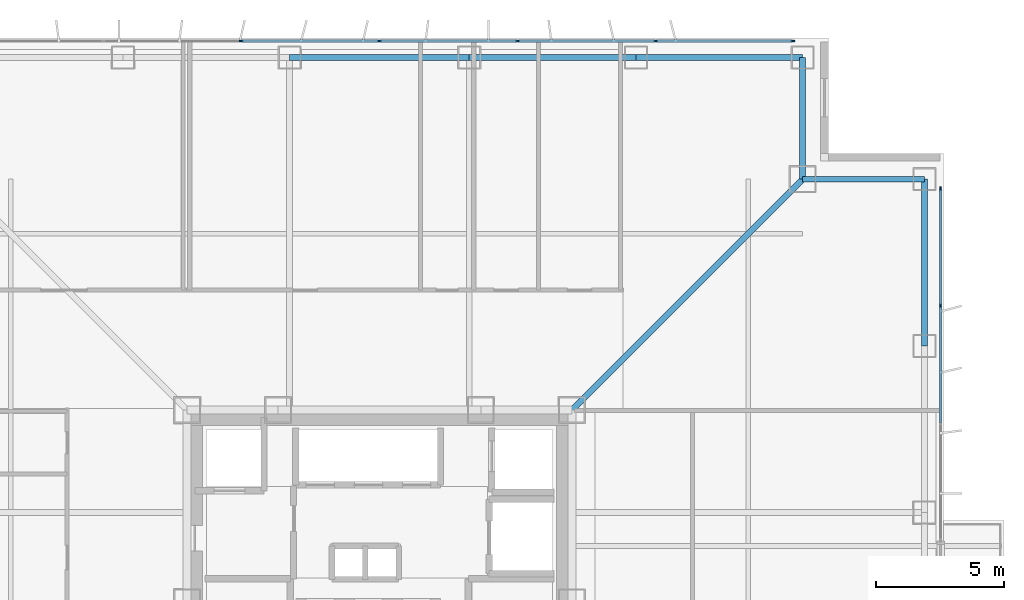
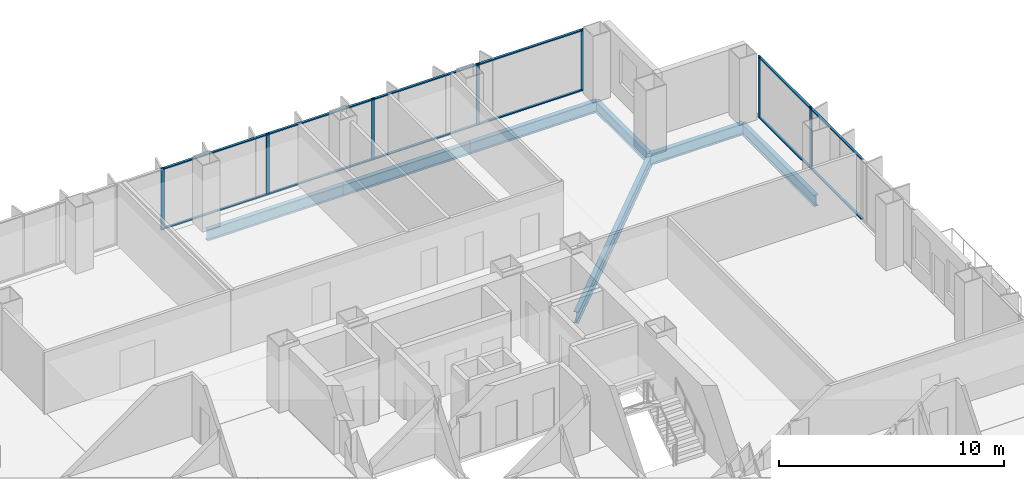
# One storey, part 11 of 18: 19 members, 7 beams, 2 elements without a shape of their own.
"""IFC4 building model written with IfcOpenShell, lengths in metres."""

from ifc_helpers import new_model, si_unit, direction, frame, origin, origin_2d, place, context, subcontext, project, spatial, rectangle, i_section, extrude, material, layer, layer_set, material_profile, profile_set, type_object, element, aggregate, save


model = new_model("IFC4")

# Units and contexts
model_context = context("Model", 3, precision=1e-05, world=origin(), true_north=direction((0.0, 1.0)))
body_context = subcontext(model_context, "Body", "Model", "MODEL_VIEW")
ifc_project = project(units=[si_unit("LENGTHUNIT", "METRE"), si_unit("AREAUNIT", "SQUARE_METRE"), si_unit("VOLUMEUNIT", "CUBIC_METRE"), si_unit("PLANEANGLEUNIT", "RADIAN"), si_unit("MASSUNIT", "GRAM", prefix="KILO")], contexts=[model_context])

# Site, building, storey
site_placement = place(None, origin())
site = spatial("IfcSite", under=ifc_project, at=site_placement, CompositionType="ELEMENT")
building_placement = place(site_placement, origin())
building = spatial("IfcBuilding", under=site, at=building_placement, Name="Trevonay Congress Spire", CompositionType="ELEMENT")
storey_placement = place(building_placement, frame((0.0, 0.0, 104.800048828125)))
storey = spatial("IfcBuildingStorey", under=building, at=storey_placement, Name="L26", CompositionType="ELEMENT", Elevation=104.800048828125)

# Beams
ifc_material_1 = material(Name="Steel ASTM A572 Grade 50", Category="steel")
ifc_material_profile_1 = material_profile(ifc_material_1, i_section(OverallWidth=0.22998046875, OverallDepth=0.616943359375, WebThickness=0.01318359375, FlangeThickness=0.022216796875, FilletRadius=0.01611328125, at=origin_2d()), Name="W610x140")
ifc_profile_set_1 = profile_set([ifc_material_profile_1], Name="Steel ASTM A572 Grade 50")
beam_type_1 = type_object("IfcBeamType", Name="BM-GIRD-W610X140", PredefinedType="BEAM", material=ifc_profile_set_1)
beam_1_placement = place(storey_placement, frame((7.5, 7.5, -0.548583984375), z_axis=(0.707106781187, 0.707106781187, 0.0), x_axis=(-0.707106781187, 0.707106781187, 0.0)))
element("IfcBeam", 1, at=beam_1_placement, inside=storey, type_object=beam_type_1, Name="L26 structural beam BM-L26-CDNE", PredefinedType="BEAM", context=body_context, shape_type="SweptSolid", body=[
    extrude(i_section(OverallWidth=0.22998046875, OverallDepth=0.616943359375, WebThickness=0.01318359375, FlangeThickness=0.022216796875, FilletRadius=0.01611328125, at=origin_2d()), origin(), (0.0, 0.0, 1.0), 12.72802734375),
])
ifc_material_profile_2 = material_profile(ifc_material_1, i_section(OverallWidth=0.22802734375, OverallDepth=0.60791015625, WebThickness=0.01123046875, FlangeThickness=0.017333984375, FilletRadius=0.01611328125, at=origin_2d()), Name="W610x113")
ifc_profile_set_2 = profile_set([ifc_material_profile_2], Name="Steel ASTM A572 Grade 50")
beam_type_2 = type_object("IfcBeamType", Name="BM-RING-W610X113", PredefinedType="BEAM", material=ifc_profile_set_2)
beam_2_placement = place(storey_placement, frame((-3.5, 21.25, -0.5439453125), z_axis=(1.0, 0.0, 0.0), x_axis=(0.0, 1.0, 0.0)))
element("IfcBeam", 2, at=beam_2_placement, inside=storey, type_object=beam_type_2, Name="L26 structural beam BM-L26-PN3", PredefinedType="BEAM", context=body_context, shape_type="SweptSolid", body=[
    extrude(i_section(OverallWidth=0.22802734375, OverallDepth=0.60791015625, WebThickness=0.01123046875, FlangeThickness=0.017333984375, FilletRadius=0.01611328125, at=origin_2d()), origin(), (0.0, 0.0, 1.0), 7.0),
])
for number, where, z_axis, x_axis, name in (
    (3, (3.5, 21.25, -0.5439453125), (1.0, 0.0, 0.0), (0.0, 1.0, 0.0), "L26 structural beam BM-L26-PN4"),
    (4, (10.0, 21.25, -0.5439453125), (1.0, 0.0, 0.0), (0.0, 1.0, 0.0), "L26 structural beam BM-L26-PN5"),
    (5, (21.25, 10.0, -0.5439453125), (0.0, 1.0, 0.0), (-1.0, 0.0, 0.0), "L26 structural beam BM-L26-PE5"),
):
    element("IfcBeam", number, at=place(storey_placement, frame(where, z_axis=z_axis, x_axis=x_axis)), inside=storey, type_object=beam_type_2, Name=name, PredefinedType="BEAM", context=body_context, shape_type="SweptSolid", body=[
        extrude(i_section(OverallWidth=0.22802734375, OverallDepth=0.60791015625, WebThickness=0.01123046875, FlangeThickness=0.017333984375, FilletRadius=0.01611328125, at=origin_2d()), origin(), (0.0, 0.0, 1.0), 6.5),
    ])
for number, where, z_axis, x_axis, name in (
    (6, (16.5, 21.25, -0.5439453125), (0.0, -1.0, 0.0), (1.0, 0.0, 0.0), "L26 structural beam BM-L26-N1NE"),
    (7, (21.25, 16.5, -0.5439453125), (-1.0, 0.0, 0.0), (0.0, -1.0, 0.0), "L26 structural beam BM-L26-N2NE"),
):
    element("IfcBeam", number, at=place(storey_placement, frame(where, z_axis=z_axis, x_axis=x_axis)), inside=storey, type_object=beam_type_2, Name=name, PredefinedType="BEAM", context=body_context, shape_type="SweptSolid", body=[
        extrude(i_section(OverallWidth=0.22802734375, OverallDepth=0.60791015625, WebThickness=0.01123046875, FlangeThickness=0.017333984375, FilletRadius=0.01611328125, at=origin_2d()), origin(), (0.0, 0.0, 1.0), 4.75),
    ])

# Curtain wall, members
ifc_material_2 = material(Name="Pale Anodised Aluminium EN AW-6063-T6", Category="aluminium")
ifc_layer = layer(ifc_material_2, 0.175048828125, Name="Pale Anodised Aluminium EN AW-6063-T6")
ifc_layer_set = layer_set([ifc_layer], Name="Pale Anodised Aluminium EN AW-6063-T6")
curtain_wall_type = type_object("IfcCurtainWallType", Name="CW-SYS03-CONGRESS-PALE-METAL", PredefinedType="NOTDEFINED", material=ifc_layer_set)
curtain_wall_1_placement = place(storey_placement, origin())
curtain_wall_1 = element("IfcCurtainWall", 8, at=curtain_wall_1_placement, inside=storey, type_object=curtain_wall_type, Name="L26 N unitised curtain wall", PredefinedType="NOTDEFINED")
ifc_material_profile_3 = material_profile(ifc_material_2, rectangle(XDim=0.06005859375, YDim=0.159912109375, at=origin_2d()), Name="CW-MULLION-160-ALUMINIUM")
ifc_profile_set_3 = profile_set([ifc_material_profile_3], Name="Pale Anodised Aluminium EN AW-6063-T6")
member_type_1 = type_object("IfcMemberType", Name="CW-MULLION-160-ALUMINIUM", PredefinedType="MULLION", material=ifc_profile_set_3)
member_1_placement = place(storey_placement, frame((-5.38330078125, 21.8798828125, 0.0), z_axis=(0.0, 0.0, 1.0), x_axis=(0.0, 1.0, 0.0)))
member_1 = element("IfcMember", 9, at=member_1_placement, type_object=member_type_1, Name="CW03 mullion 3", PredefinedType="MULLION", context=body_context, shape_type="SweptSolid", body=[
    extrude(rectangle(XDim=0.06005859375, YDim=0.159912109375, at=origin_2d()), origin(), (0.0, 0.0, 1.0), 3.35986328125),
])
member_2_placement = place(storey_placement, frame((0.0, 21.8798828125, 0.0), z_axis=(0.0, 0.0, 1.0), x_axis=(0.0, 1.0, 0.0)))
member_2 = element("IfcMember", 10, at=member_2_placement, type_object=member_type_1, Name="CW03 mullion 4", PredefinedType="MULLION", context=body_context, shape_type="SweptSolid", body=[
    extrude(rectangle(XDim=0.06005859375, YDim=0.159912109375, at=origin_2d()), origin(), (0.0, 0.0, 1.0), 3.35986328125),
])
member_3_placement = place(storey_placement, frame((5.38330078125, 21.8798828125, 0.0), z_axis=(0.0, 0.0, 1.0), x_axis=(0.0, 1.0, 0.0)))
member_3 = element("IfcMember", 11, at=member_3_placement, type_object=member_type_1, Name="CW03 mullion 5", PredefinedType="MULLION", context=body_context, shape_type="SweptSolid", body=[
    extrude(rectangle(XDim=0.06005859375, YDim=0.159912109375, at=origin_2d()), origin(), (0.0, 0.0, 1.0), 3.35986328125),
])
member_4_placement = place(storey_placement, frame((10.7666015625, 21.8798828125, 0.0), z_axis=(0.0, 0.0, 1.0), x_axis=(0.0, 1.0, 0.0)))
member_4 = element("IfcMember", 12, at=member_4_placement, type_object=member_type_1, Name="CW03 mullion 6", PredefinedType="MULLION", context=body_context, shape_type="SweptSolid", body=[
    extrude(rectangle(XDim=0.06005859375, YDim=0.159912109375, at=origin_2d()), origin(), (0.0, 0.0, 1.0), 3.35986328125),
])
member_5_placement = place(storey_placement, frame((16.1201171875, 21.8798828125, 0.0), z_axis=(0.0, 0.0, 1.0), x_axis=(0.0, 1.0, 0.0)))
member_5 = element("IfcMember", 13, at=member_5_placement, type_object=member_type_1, Name="CW03 mullion 7", PredefinedType="MULLION", context=body_context, shape_type="SweptSolid", body=[
    extrude(rectangle(XDim=0.06005859375, YDim=0.159912109375, at=origin_2d()), origin(), (0.0, 0.0, 1.0), 3.35986328125),
])

curtain_wall_2_placement = place(storey_placement, origin())
curtain_wall_2 = element("IfcCurtainWall", 14, at=curtain_wall_2_placement, inside=storey, type_object=curtain_wall_type, Name="L26 EB unitised curtain wall", PredefinedType="NOTDEFINED")
member_6_placement = place(storey_placement, frame((21.8798828125, 11.566650390625, 0.0), z_axis=(0.0, 0.0, 1.0), x_axis=(-1.0, 0.0, 0.0)))
member_6 = element("IfcMember", 15, at=member_6_placement, type_object=member_type_1, Name="CW03 mullion 3", PredefinedType="MULLION", context=body_context, shape_type="SweptSolid", body=[
    extrude(rectangle(XDim=0.06005859375, YDim=0.159912109375, at=origin_2d()), origin(), (0.0, 0.0, 1.0), 3.35986328125),
])
member_7_placement = place(storey_placement, frame((21.8798828125, 16.1201171875, 0.0), z_axis=(0.0, 0.0, 1.0), x_axis=(-1.0, 0.0, 0.0)))
member_7 = element("IfcMember", 16, at=member_7_placement, type_object=member_type_1, Name="CW03 mullion 4", PredefinedType="MULLION", context=body_context, shape_type="SweptSolid", body=[
    extrude(rectangle(XDim=0.06005859375, YDim=0.159912109375, at=origin_2d()), origin(), (0.0, 0.0, 1.0), 3.35986328125),
])

# Member
ifc_material_profile_4 = material_profile(ifc_material_2, rectangle(XDim=0.1201171875, YDim=0.06005859375, at=origin_2d()), Name="CW-TRANSOM-120-ALUMINIUM")
ifc_profile_set_4 = profile_set([ifc_material_profile_4], Name="Pale Anodised Aluminium EN AW-6063-T6")
member_type_2 = type_object("IfcMemberType", Name="CW-TRANSOM-120-ALUMINIUM", PredefinedType="USERDEFINED", material=ifc_profile_set_4)
member_8_placement = place(storey_placement, frame((-5.353271484375, 21.8798828125, 0.06005859375), z_axis=(1.0, 0.0, 0.0), x_axis=(0.0, 1.0, 0.0)))
member_8 = element("IfcMember", 17, at=member_8_placement, type_object=member_type_2, Name="CW03 transom 3.1", ObjectType="TRANSOM", PredefinedType="USERDEFINED", context=body_context, shape_type="SweptSolid", body=[
    extrude(rectangle(XDim=0.1201171875, YDim=0.06005859375, at=origin_2d()), origin(), (0.0, 0.0, 1.0), 5.3232421875),
])

member_9_placement = place(storey_placement, frame((-5.353271484375, 21.8798828125, 3.300048828125), z_axis=(1.0, 0.0, 0.0), x_axis=(0.0, 1.0, 0.0)))
member_9 = element("IfcMember", 18, at=member_9_placement, type_object=member_type_2, Name="CW03 transom 3.2", ObjectType="TRANSOM", PredefinedType="USERDEFINED", context=body_context, shape_type="SweptSolid", body=[
    extrude(rectangle(XDim=0.1201171875, YDim=0.06005859375, at=origin_2d()), origin(), (0.0, 0.0, 1.0), 5.3232421875),
])

member_10_placement = place(storey_placement, frame((0.030029296875, 21.8798828125, 0.06005859375), z_axis=(1.0, 0.0, 0.0), x_axis=(0.0, 1.0, 0.0)))
member_10 = element("IfcMember", 19, at=member_10_placement, type_object=member_type_2, Name="CW03 transom 4.1", ObjectType="TRANSOM", PredefinedType="USERDEFINED", context=body_context, shape_type="SweptSolid", body=[
    extrude(rectangle(XDim=0.1201171875, YDim=0.06005859375, at=origin_2d()), origin(), (0.0, 0.0, 1.0), 5.3232421875),
])

member_11_placement = place(storey_placement, frame((0.030029296875, 21.8798828125, 3.300048828125), z_axis=(1.0, 0.0, 0.0), x_axis=(0.0, 1.0, 0.0)))
member_11 = element("IfcMember", 20, at=member_11_placement, type_object=member_type_2, Name="CW03 transom 4.2", ObjectType="TRANSOM", PredefinedType="USERDEFINED", context=body_context, shape_type="SweptSolid", body=[
    extrude(rectangle(XDim=0.1201171875, YDim=0.06005859375, at=origin_2d()), origin(), (0.0, 0.0, 1.0), 5.3232421875),
])

member_12_placement = place(storey_placement, frame((5.413330078125, 21.8798828125, 0.06005859375), z_axis=(1.0, 0.0, 0.0), x_axis=(0.0, 1.0, 0.0)))
member_12 = element("IfcMember", 21, at=member_12_placement, type_object=member_type_2, Name="CW03 transom 5.1", ObjectType="TRANSOM", PredefinedType="USERDEFINED", context=body_context, shape_type="SweptSolid", body=[
    extrude(rectangle(XDim=0.1201171875, YDim=0.06005859375, at=origin_2d()), origin(), (0.0, 0.0, 1.0), 5.3232421875),
])

member_13_placement = place(storey_placement, frame((5.413330078125, 21.8798828125, 3.300048828125), z_axis=(1.0, 0.0, 0.0), x_axis=(0.0, 1.0, 0.0)))
member_13 = element("IfcMember", 22, at=member_13_placement, type_object=member_type_2, Name="CW03 transom 5.2", ObjectType="TRANSOM", PredefinedType="USERDEFINED", context=body_context, shape_type="SweptSolid", body=[
    extrude(rectangle(XDim=0.1201171875, YDim=0.06005859375, at=origin_2d()), origin(), (0.0, 0.0, 1.0), 5.3232421875),
])

member_14_placement = place(storey_placement, frame((10.796630859375, 21.8798828125, 0.06005859375), z_axis=(1.0, 0.0, 0.0), x_axis=(0.0, 1.0, 0.0)))
member_14 = element("IfcMember", 23, at=member_14_placement, type_object=member_type_2, Name="CW03 transom 6.1", ObjectType="TRANSOM", PredefinedType="USERDEFINED", context=body_context, shape_type="SweptSolid", body=[
    extrude(rectangle(XDim=0.1201171875, YDim=0.06005859375, at=origin_2d()), origin(), (0.0, 0.0, 1.0), 5.29345703125),
])

member_15_placement = place(storey_placement, frame((10.796630859375, 21.8798828125, 3.300048828125), z_axis=(1.0, 0.0, 0.0), x_axis=(0.0, 1.0, 0.0)))
member_15 = element("IfcMember", 24, at=member_15_placement, type_object=member_type_2, Name="CW03 transom 6.2", ObjectType="TRANSOM", PredefinedType="USERDEFINED", context=body_context, shape_type="SweptSolid", body=[
    extrude(rectangle(XDim=0.1201171875, YDim=0.06005859375, at=origin_2d()), origin(), (0.0, 0.0, 1.0), 5.29345703125),
])

aggregate(curtain_wall_1, [member_1, member_2, member_3, member_4, member_5, member_8, member_9, member_10, member_11, member_12, member_13, member_14, member_15])

member_16_placement = place(storey_placement, frame((21.8798828125, 7.013427734375, 0.06005859375), z_axis=(0.0, 1.0, 0.0), x_axis=(-1.0, 0.0, 0.0)))
member_16 = element("IfcMember", 25, at=member_16_placement, type_object=member_type_2, Name="CW03 transom 2.1", ObjectType="TRANSOM", PredefinedType="USERDEFINED", context=body_context, shape_type="SweptSolid", body=[
    extrude(rectangle(XDim=0.1201171875, YDim=0.06005859375, at=origin_2d()), origin(), (0.0, 0.0, 1.0), 4.523193359375),
])

member_17_placement = place(storey_placement, frame((21.8798828125, 7.013427734375, 3.300048828125), z_axis=(0.0, 1.0, 0.0), x_axis=(-1.0, 0.0, 0.0)))
member_17 = element("IfcMember", 26, at=member_17_placement, type_object=member_type_2, Name="CW03 transom 2.2", ObjectType="TRANSOM", PredefinedType="USERDEFINED", context=body_context, shape_type="SweptSolid", body=[
    extrude(rectangle(XDim=0.1201171875, YDim=0.06005859375, at=origin_2d()), origin(), (0.0, 0.0, 1.0), 4.523193359375),
])

member_18_placement = place(storey_placement, frame((21.8798828125, 11.5966796875, 0.06005859375), z_axis=(0.0, 1.0, 0.0), x_axis=(-1.0, 0.0, 0.0)))
member_18 = element("IfcMember", 27, at=member_18_placement, type_object=member_type_2, Name="CW03 transom 3.1", ObjectType="TRANSOM", PredefinedType="USERDEFINED", context=body_context, shape_type="SweptSolid", body=[
    extrude(rectangle(XDim=0.1201171875, YDim=0.06005859375, at=origin_2d()), origin(), (0.0, 0.0, 1.0), 4.493408203125),
])

member_19_placement = place(storey_placement, frame((21.8798828125, 11.5966796875, 3.300048828125), z_axis=(0.0, 1.0, 0.0), x_axis=(-1.0, 0.0, 0.0)))
member_19 = element("IfcMember", 28, at=member_19_placement, type_object=member_type_2, Name="CW03 transom 3.2", ObjectType="TRANSOM", PredefinedType="USERDEFINED", context=body_context, shape_type="SweptSolid", body=[
    extrude(rectangle(XDim=0.1201171875, YDim=0.06005859375, at=origin_2d()), origin(), (0.0, 0.0, 1.0), 4.493408203125),
])

aggregate(curtain_wall_2, [member_6, member_7, member_16, member_17, member_18, member_19])

save(model, "model.ifc")
